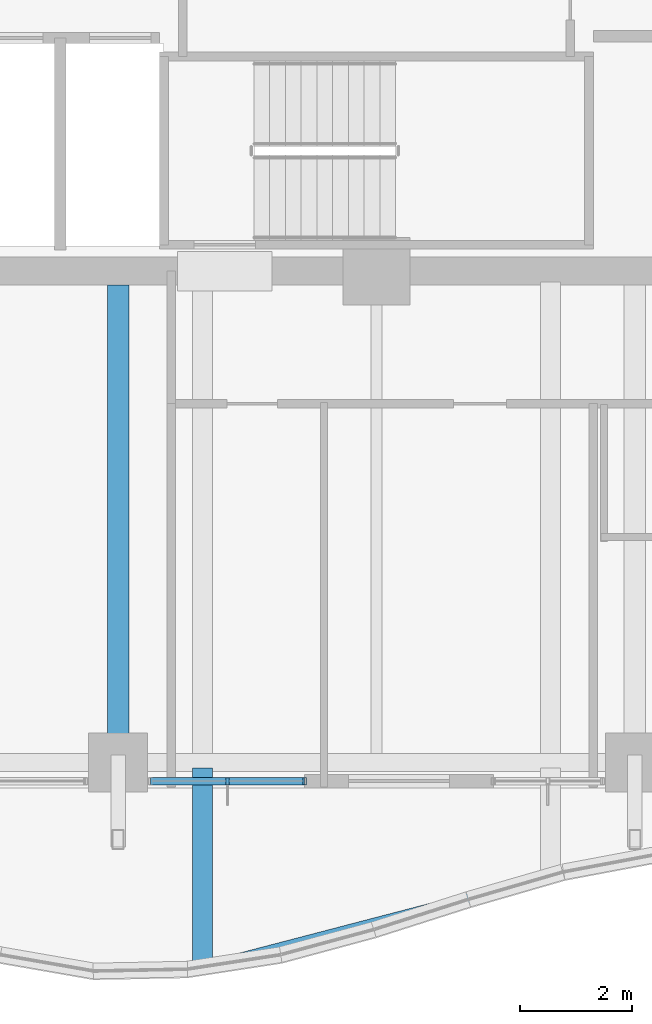
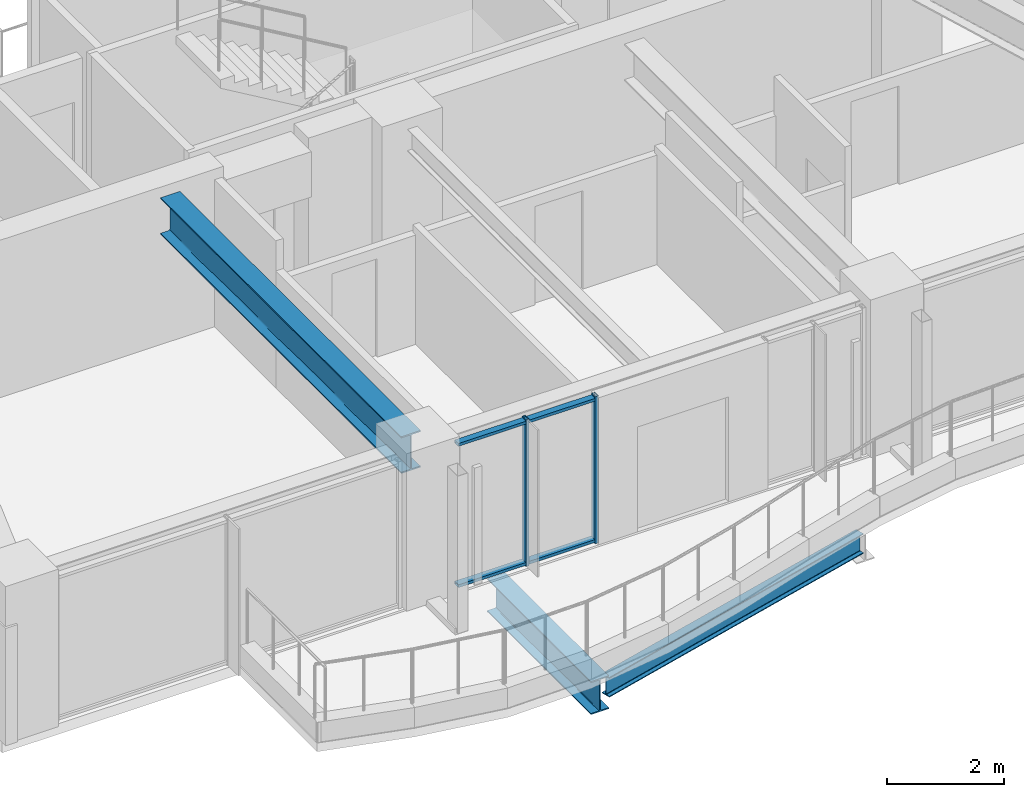
# One storey, part 4 of 31: 4 members, 3 beams, 1 element without a shape of its own.
"""IFC4 building model written with IfcOpenShell, lengths in metres."""

from ifc_helpers import new_model, si_unit, direction, frame, origin, origin_2d, place, context, subcontext, project, spatial, hollow_rectangle, i_section, extrude, material, material_profile, profile_set, type_object, element, aggregate, save


model = new_model("IFC4")

# Units and contexts
model_context = context("Model", 3, precision=1e-05, world=origin(), true_north=direction((0.0, 1.0)))
body_context = subcontext(model_context, "Body", "Model", "MODEL_VIEW")
ifc_project = project(units=[si_unit("LENGTHUNIT", "METRE"), si_unit("AREAUNIT", "SQUARE_METRE"), si_unit("VOLUMEUNIT", "CUBIC_METRE"), si_unit("PLANEANGLEUNIT", "RADIAN"), si_unit("MASSUNIT", "GRAM", prefix="KILO")], contexts=[model_context])

# Site, building, storey
site_placement = place(None, origin())
site = spatial("IfcSite", under=ifc_project, at=site_placement, CompositionType="ELEMENT")
building_placement = place(site_placement, origin())
building = spatial("IfcBuilding", under=site, at=building_placement, Name="Kolvaren Belvedere", CompositionType="ELEMENT")
storey_placement = place(building_placement, frame((0.0, 0.0, 118.39990234375)))
storey = spatial("IfcBuildingStorey", under=building, at=storey_placement, Name="L34", CompositionType="ELEMENT", Elevation=118.39990234375)

# Beams
ifc_material_1 = material(Name="Structural steel ASTM A992 Grade 50", Category="steel")
ifc_material_profile_1 = material_profile(ifc_material_1, i_section(OverallWidth=0.35498046875, OverallDepth=0.696044921875, WebThickness=0.015380859375, FlangeThickness=0.02490234375, FilletRadius=0.02197265625, at=origin_2d()), Name="W27X146")
ifc_profile_set_1 = profile_set([ifc_material_profile_1], Name="Structural steel ASTM A992 Grade 50")
beam_type_1 = type_object("IfcBeamType", Name="BM-CANT-BAL", PredefinedType="BEAM", material=ifc_profile_set_1)
beam_1_placement = place(storey_placement, frame((-3.10009765625, -18.7451171875, -0.56787109375), z_axis=(0.0, -1.0, 0.0), x_axis=(1.0, 0.0, 0.0)))
element("IfcBeam", 1, at=beam_1_placement, inside=storey, type_object=beam_type_1, Name="L34 Planted Balcony Cantilever BAL-S-1", PredefinedType="BEAM", context=body_context, shape_type="SweptSolid", body=[
    extrude(i_section(OverallWidth=0.35498046875, OverallDepth=0.696044921875, WebThickness=0.015380859375, FlangeThickness=0.02490234375, FilletRadius=0.02197265625, at=origin_2d()), origin(), (0.0, 0.0, 1.0), 3.560791015625),
])
ifc_material_2 = material(Name="Structural steel ASTM A992 Grade 50", Category="steel")
ifc_material_profile_2 = material_profile(ifc_material_2, i_section(OverallWidth=0.180908203125, OverallDepth=0.4169921875, WebThickness=0.010986328125, FlangeThickness=0.018310546875, FilletRadius=0.013916015625, at=origin_2d()), Name="W16X57")
ifc_profile_set_2 = profile_set([ifc_material_profile_2], Name="Structural steel ASTM A992 Grade 50")
beam_type_2 = type_object("IfcBeamType", Name="BM-EDGE-W16X57", PredefinedType="BEAM", material=ifc_profile_set_2)
beam_2_placement = place(storey_placement, frame((-2.964599609375, -22.2705078125, -0.428466796875), z_axis=(0.9675537799, 0.25266515985, 0.0), x_axis=(-0.25266515985, 0.9675537799, 0.0)))
element("IfcBeam", 2, at=beam_2_placement, inside=storey, type_object=beam_type_2, Name="L34 Balcony Tip Header Beam BAL-S", PredefinedType="BEAM", context=body_context, shape_type="SweptSolid", body=[
    extrude(i_section(OverallWidth=0.180908203125, OverallDepth=0.4169921875, WebThickness=0.010986328125, FlangeThickness=0.018310546875, FilletRadius=0.013916015625, at=origin_2d()), origin(), (0.0, 0.0, 1.0), 6.1279296875),
])
ifc_material_3 = material(Name="Structural steel ASTM A992 Grade 50", Category="steel")
ifc_material_profile_3 = material_profile(ifc_material_3, i_section(OverallWidth=0.381103515625, OverallDepth=0.77294921875, WebThickness=0.0166015625, FlangeThickness=0.027099609375, FilletRadius=0.02392578125, at=origin_2d()), Name="W30X173")
ifc_profile_set_3 = profile_set([ifc_material_profile_3], Name="Structural steel ASTM A992 Grade 50")
beam_type_3 = type_object("IfcBeamType", Name="BM-GIRD-W30X173", PredefinedType="BEAM", material=ifc_profile_set_3)
beam_3_placement = place(storey_placement, frame((-4.60009765625, -10.14990234375, 2.693603515625), z_axis=(0.0, -1.0, 0.0), x_axis=(1.0, 0.0, 0.0)))
element("IfcBeam", 3, at=beam_3_placement, inside=storey, type_object=beam_type_3, Name="L34 South Radial Girder M", PredefinedType="BEAM", context=body_context, shape_type="SweptSolid", body=[
    extrude(i_section(OverallWidth=0.381103515625, OverallDepth=0.77294921875, WebThickness=0.0166015625, FlangeThickness=0.027099609375, FilletRadius=0.02392578125, at=origin_2d()), origin(), (0.0, 0.0, 1.0), 8.263916015625),
])

# Curtain wall, members
ifc_material_4 = material(Name="Anodised pale-metal aluminium AA 6063-T6", Category="aluminium")
curtain_wall_type = type_object("IfcCurtainWallType", Name="CW-Z3-WAIST", PredefinedType="NOTDEFINED", material=ifc_material_4)
curtain_wall_placement = place(storey_placement, origin())
curtain_wall = element("IfcCurtainWall", 4, at=curtain_wall_placement, inside=storey, type_object=curtain_wall_type, Name="L34 Unitised Curtain Wall FCW-L34-S2-B1", PredefinedType="NOTDEFINED")
ifc_material_5 = material(Name="Anodised pale-metal aluminium AA 6063-T6", Category="aluminium")
ifc_material_profile_4 = material_profile(ifc_material_5, hollow_rectangle(XDim=0.06494140625, YDim=0.1298828125, WallThickness=0.00390625, at=origin_2d()), Name="ALU-MUL-130X65")
ifc_profile_set_4 = profile_set([ifc_material_profile_4], Name="Anodised pale-metal aluminium AA 6063-T6")
member_type_1 = type_object("IfcMemberType", Name="CW-MUL-130", PredefinedType="MULLION", material=ifc_profile_set_4)
member_1_placement = place(storey_placement, frame((-1.280029296875, -18.97998046875, 0.0), z_axis=(0.0, 0.0, 1.0), x_axis=(1.0, 0.0, 0.0)))
member_1 = element("IfcMember", 5, at=member_1_placement, type_object=member_type_1, Name="FCW-L34-S2-B1 Unitised Mullion 1", PredefinedType="MULLION", context=body_context, shape_type="SweptSolid", body=[
    extrude(hollow_rectangle(XDim=0.06494140625, YDim=0.1298828125, WallThickness=0.00390625, at=origin_2d()), origin(), (0.0, 0.0, 1.0), 3.080078125),
])
member_2_placement = place(storey_placement, frame((-2.6513671875, -18.97998046875, 0.0), z_axis=(0.0, 0.0, 1.0), x_axis=(1.0, 0.0, 0.0)))
member_2 = element("IfcMember", 6, at=member_2_placement, type_object=member_type_1, Name="FCW-L34-S2-B1 Unitised Mullion 2", PredefinedType="MULLION", context=body_context, shape_type="SweptSolid", body=[
    extrude(hollow_rectangle(XDim=0.06494140625, YDim=0.1298828125, WallThickness=0.00390625, at=origin_2d()), origin(), (0.0, 0.0, 1.0), 3.080078125),
])
ifc_material_6 = material(Name="Anodised pale-metal aluminium AA 6063-T6", Category="aluminium")
ifc_material_profile_5 = material_profile(ifc_material_6, hollow_rectangle(XDim=0.06005859375, YDim=0.1298828125, WallThickness=0.00390625, at=origin_2d()), Name="ALU-TRN-130X60")
ifc_profile_set_5 = profile_set([ifc_material_profile_5], Name="Anodised pale-metal aluminium AA 6063-T6")
member_type_2 = type_object("IfcMemberType", Name="CW-TRN-130", PredefinedType="USERDEFINED", material=ifc_profile_set_5)
member_3_placement = place(storey_placement, frame((-1.280029296875, -18.97998046875, 0.06005859375), z_axis=(-1.0, 0.0, 0.0), x_axis=(0.0, 0.0, 1.0)))
member_3 = element("IfcMember", 7, at=member_3_placement, type_object=member_type_2, Name="FCW-L34-S2-B1 Sill Transom", ObjectType="TRANSOM", PredefinedType="USERDEFINED", context=body_context, shape_type="SweptSolid", body=[
    extrude(hollow_rectangle(XDim=0.06005859375, YDim=0.1298828125, WallThickness=0.00390625, at=origin_2d()), origin(), (0.0, 0.0, 1.0), 2.742431640625),
])
member_4_placement = place(storey_placement, frame((-1.280029296875, -18.97998046875, 3.02001953125), z_axis=(-1.0, 0.0, 0.0), x_axis=(0.0, 0.0, 1.0)))
member_4 = element("IfcMember", 8, at=member_4_placement, type_object=member_type_2, Name="FCW-L34-S2-B1 Head Transom", ObjectType="TRANSOM", PredefinedType="USERDEFINED", context=body_context, shape_type="SweptSolid", body=[
    extrude(hollow_rectangle(XDim=0.06005859375, YDim=0.1298828125, WallThickness=0.00390625, at=origin_2d()), origin(), (0.0, 0.0, 1.0), 2.742431640625),
])
aggregate(curtain_wall, [member_1, member_2, member_3, member_4])

save(model, "model.ifc")
